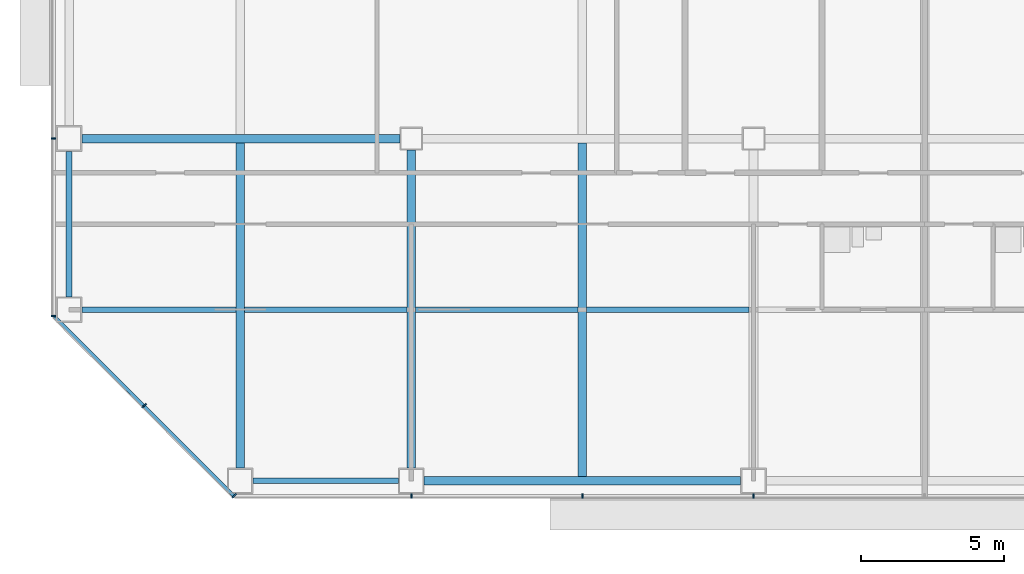
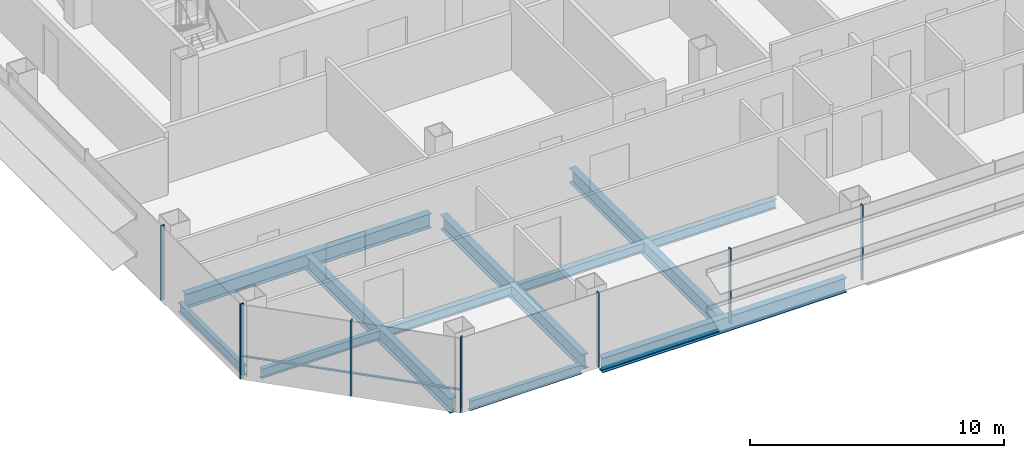
# One storey, part 2 of 26: 11 beams, 8 members, 3 elements without a shape of their own.
"""IFC4 building model written with IfcOpenShell, lengths in metres."""

from ifc_helpers import new_model, si_unit, direction, frame, origin, origin_2d, place, context, subcontext, project, spatial, rectangle, i_section, extrude, material, material_profile, profile_set, type_object, element, aggregate, save


model = new_model("IFC4")

# Units and contexts
model_context = context("Model", 3, precision=1e-05, world=origin(), true_north=direction((0.0, 1.0)))
body_context = subcontext(model_context, "Body", "Model", "MODEL_VIEW")
ifc_project = project(units=[si_unit("LENGTHUNIT", "METRE"), si_unit("AREAUNIT", "SQUARE_METRE"), si_unit("VOLUMEUNIT", "CUBIC_METRE"), si_unit("PLANEANGLEUNIT", "RADIAN"), si_unit("MASSUNIT", "GRAM", prefix="KILO")], contexts=[model_context])

# Site, building, storey
site_placement = place(None, origin())
site = spatial("IfcSite", under=ifc_project, at=site_placement, CompositionType="ELEMENT")
building_placement = place(site_placement, origin())
building = spatial("IfcBuilding", under=site, at=building_placement, Name="Sorahane Residences", CompositionType="ELEMENT")
storey_placement = place(building_placement, frame((0.0, 0.0, 64.199951171875)))
storey = spatial("IfcBuildingStorey", under=building, at=storey_placement, Name="L12", CompositionType="ELEMENT", Elevation=64.199951171875)

# Curtain wall, members
ifc_material_1 = material(Name="Dark low-e glass and black anodised aluminium", Category="aluminium")
curtain_wall_type_1 = type_object("IfcCurtainWallType", Name="Curtain wall CW-1 Typical unitised wall", PredefinedType="NOTDEFINED", material=ifc_material_1)
curtain_wall_1_placement = place(storey_placement, origin())
curtain_wall_1 = element("IfcCurtainWall", 1, at=curtain_wall_1_placement, inside=storey, type_object=curtain_wall_type_1, Name="CW-1 curtain wall L12 S1", PredefinedType="NOTDEFINED")
ifc_material_2 = material(Name="Black anodised aluminium", Category="aluminium")
ifc_material_profile_1 = material_profile(ifc_material_2, rectangle(XDim=0.159912109375, YDim=0.050048828125, at=origin_2d()), Name="Curtain wall mullion CW-1 black anodised aluminium 50x160")
ifc_profile_set_1 = profile_set([ifc_material_profile_1], Name="Black anodised aluminium")
member_type_1 = type_object("IfcMemberType", Name="Curtain wall mullion CW-1 black anodised aluminium 50x160", PredefinedType="MULLION", material=ifc_profile_set_1)
member_1_placement = place(storey_placement, frame((12.0, -0.5400390625, -0.179931640625), z_axis=(0.0, 0.0, 1.0), x_axis=(0.0, -1.0, 0.0)))
member_1 = element("IfcMember", 2, at=member_1_placement, type_object=member_type_1, Name="CW-1 mullion L12 S1.2", PredefinedType="MULLION", context=body_context, shape_type="SweptSolid", body=[
    extrude(rectangle(XDim=0.159912109375, YDim=0.050048828125, at=origin_2d()), origin(), (0.0, 0.0, 1.0), 3.60009765625),
])
member_2_placement = place(storey_placement, frame((18.0, -0.5400390625, -0.179931640625), z_axis=(0.0, 0.0, 1.0), x_axis=(0.0, -1.0, 0.0)))
member_2 = element("IfcMember", 3, at=member_2_placement, type_object=member_type_1, Name="CW-1 mullion L12 S1.3", PredefinedType="MULLION", context=body_context, shape_type="SweptSolid", body=[
    extrude(rectangle(XDim=0.159912109375, YDim=0.050048828125, at=origin_2d()), origin(), (0.0, 0.0, 1.0), 3.60009765625),
])
member_3_placement = place(storey_placement, frame((24.0, -0.5400390625, -0.179931640625), z_axis=(0.0, 0.0, 1.0), x_axis=(0.0, -1.0, 0.0)))
member_3 = element("IfcMember", 4, at=member_3_placement, type_object=member_type_1, Name="CW-1 mullion L12 S1.4", PredefinedType="MULLION", context=body_context, shape_type="SweptSolid", body=[
    extrude(rectangle(XDim=0.159912109375, YDim=0.050048828125, at=origin_2d()), origin(), (0.0, 0.0, 1.0), 3.60009765625),
])
aggregate(curtain_wall_1, [member_1, member_2, member_3])

curtain_wall_2_placement = place(storey_placement, origin())
curtain_wall_2 = element("IfcCurtainWall", 5, at=curtain_wall_2_placement, inside=storey, type_object=curtain_wall_type_1, Name="CW-1 curtain wall L12 W1", PredefinedType="NOTDEFINED")
member_4_placement = place(storey_placement, frame((-0.5400390625, 12.0, -0.179931640625), z_axis=(0.0, 0.0, 1.0), x_axis=(-1.0, 0.0, 0.0)))
member_4 = element("IfcMember", 6, at=member_4_placement, type_object=member_type_1, Name="CW-1 mullion L12 W1.6", PredefinedType="MULLION", context=body_context, shape_type="SweptSolid", body=[
    extrude(rectangle(XDim=0.159912109375, YDim=0.050048828125, at=origin_2d()), origin(), (0.0, 0.0, 1.0), 3.60009765625),
])
member_5_placement = place(storey_placement, frame((-0.5400390625, 5.7763671875, -0.179931640625), z_axis=(0.0, 0.0, 1.0), x_axis=(-1.0, 0.0, 0.0)))
member_5 = element("IfcMember", 7, at=member_5_placement, type_object=member_type_1, Name="CW-1 mullion L12 W1.7", PredefinedType="MULLION", context=body_context, shape_type="SweptSolid", body=[
    extrude(rectangle(XDim=0.159912109375, YDim=0.050048828125, at=origin_2d()), origin(), (0.0, 0.0, 1.0), 3.60009765625),
])
aggregate(curtain_wall_2, [member_4, member_5])

ifc_material_3 = material(Name="Dark low-e glass and black anodised aluminium", Category="aluminium")
curtain_wall_type_2 = type_object("IfcCurtainWallType", Name="Curtain wall CW-2 Chamfer unitised wall", PredefinedType="NOTDEFINED", material=ifc_material_3)
curtain_wall_3_placement = place(storey_placement, origin())
curtain_wall_3 = element("IfcCurtainWall", 8, at=curtain_wall_3_placement, inside=storey, type_object=curtain_wall_type_2, Name="CW-2 curtain wall L12 SW1", PredefinedType="NOTDEFINED")
ifc_material_4 = material(Name="Black anodised aluminium", Category="aluminium")
ifc_material_profile_2 = material_profile(ifc_material_4, rectangle(XDim=0.199951171875, YDim=0.050048828125, at=origin_2d()), Name="Curtain wall mullion CW-2 black anodised aluminium 50x200")
ifc_profile_set_2 = profile_set([ifc_material_profile_2], Name="Black anodised aluminium")
member_type_2 = type_object("IfcMemberType", Name="Curtain wall mullion CW-2 black anodised aluminium 50x200", PredefinedType="MULLION", material=ifc_profile_set_2)
member_6_placement = place(storey_placement, frame((2.63232421875, 2.63232421875, -0.179931640625), z_axis=(0.0, 0.0, 1.0), x_axis=(-0.707106781187, -0.707106781187, 0.0)))
member_6 = element("IfcMember", 9, at=member_6_placement, type_object=member_type_2, Name="CW-2 mullion L12 SW1.2", PredefinedType="MULLION", context=body_context, shape_type="SweptSolid", body=[
    extrude(rectangle(XDim=0.199951171875, YDim=0.050048828125, at=origin_2d()), origin(), (0.0, 0.0, 1.0), 3.60009765625),
])
member_7_placement = place(storey_placement, frame((5.790283203125, -0.525634765625, -0.179931640625), z_axis=(0.0, 0.0, 1.0), x_axis=(-0.707106781187, -0.707106781187, 0.0)))
member_7 = element("IfcMember", 10, at=member_7_placement, type_object=member_type_2, Name="CW-2 mullion L12 SW1.3", PredefinedType="MULLION", context=body_context, shape_type="SweptSolid", body=[
    extrude(rectangle(XDim=0.199951171875, YDim=0.050048828125, at=origin_2d()), origin(), (0.0, 0.0, 1.0), 3.60009765625),
])
ifc_material_5 = material(Name="Black anodised aluminium", Category="aluminium")
ifc_material_profile_3 = material_profile(ifc_material_5, rectangle(XDim=0.10009765625, YDim=0.06005859375, at=origin_2d()), Name="Curtain wall transom CW-2 black anodised aluminium 60x100")
ifc_profile_set_3 = profile_set([ifc_material_profile_3], Name="Black anodised aluminium")
member_type_3 = type_object("IfcMemberType", Name="Curtain wall transom CW-2 black anodised aluminium 60x100", PredefinedType="USERDEFINED", material=ifc_profile_set_3)
member_8_placement = place(storey_placement, frame((-0.51513671875, 5.765625, 0.900146484375), z_axis=(0.707106781187, -0.707106781187, 0.0), x_axis=(0.707106781187, 0.707106781187, 0.0)))
member_8 = element("IfcMember", 11, at=member_8_placement, type_object=member_type_3, Name="CW-2 transom L12 SW1", ObjectType="TRANSOM", PredefinedType="USERDEFINED", context=body_context, shape_type="SweptSolid", body=[
    extrude(rectangle(XDim=0.10009765625, YDim=0.06005859375, at=origin_2d()), origin(), (0.0, 0.0, 1.0), 8.88232421875),
])
aggregate(curtain_wall_3, [member_6, member_7, member_8])

# Beams
ifc_material_6 = material(Name="Steel Q355B", Category="steel")
ifc_material_profile_4 = material_profile(ifc_material_6, i_section(OverallWidth=0.199951171875, OverallDepth=0.449951171875, WebThickness=0.009033203125, FlangeThickness=0.013916015625, FilletRadius=0.02001953125, at=origin_2d()), Name="HN 450x200x9x14")
ifc_profile_set_4 = profile_set([ifc_material_profile_4], Name="Steel Q355B")
beam_type_1 = type_object("IfcBeamType", Name="Steel floor beam HN 450x200x9x14 Q355B", PredefinedType="BEAM", material=ifc_profile_set_4)
for number, where, z_axis, x_axis, name in (
    (12, (6.449951171875, 0.0, -0.405029296875), (1.0, 0.0, 0.0), (0.0, 1.0, 0.0), "Beam L12 000"),
    (13, (0.0, 6.449951171875, -0.405029296875), (0.0, 1.0, 0.0), (-1.0, 0.0, 0.0), "Beam L12 017"),
):
    element("IfcBeam", number, at=place(storey_placement, frame(where, z_axis=z_axis, x_axis=x_axis)), inside=storey, type_object=beam_type_1, Name=name, PredefinedType="BEAM", context=body_context, shape_type="SweptSolid", body=[
        extrude(i_section(OverallWidth=0.199951171875, OverallDepth=0.449951171875, WebThickness=0.009033203125, FlangeThickness=0.013916015625, FilletRadius=0.02001953125, at=origin_2d()), origin(), (0.0, 0.0, 1.0), 5.10009765625),
    ])
beam_1_placement = place(storey_placement, frame((0.449951171875, 6.0, -0.405029296875), z_axis=(1.0, 0.0, 0.0), x_axis=(0.0, 1.0, 0.0)))
element("IfcBeam", 14, at=beam_1_placement, inside=storey, type_object=beam_type_1, Name="Beam L12 061", PredefinedType="BEAM", context=body_context, shape_type="SweptSolid", body=[
    extrude(i_section(OverallWidth=0.199951171875, OverallDepth=0.449951171875, WebThickness=0.009033203125, FlangeThickness=0.013916015625, FilletRadius=0.02001953125, at=origin_2d()), origin(), (0.0, 0.0, 1.0), 5.400146484375),
])
for number, where, z_axis, x_axis, name in (
    (15, (6.14990234375, 6.0, -0.405029296875), (1.0, 0.0, 0.0), (0.0, 1.0, 0.0), "Beam L12 062"),
    (16, (12.14990234375, 6.0, -0.405029296875), (1.0, 0.0, 0.0), (0.0, 1.0, 0.0), "Beam L12 063"),
    (17, (18.14990234375, 6.0, -0.405029296875), (1.0, 0.0, 0.0), (0.0, 1.0, 0.0), "Beam L12 064"),
):
    element("IfcBeam", number, at=place(storey_placement, frame(where, z_axis=z_axis, x_axis=x_axis)), inside=storey, type_object=beam_type_1, Name=name, PredefinedType="BEAM", context=body_context, shape_type="SweptSolid", body=[
        extrude(i_section(OverallWidth=0.199951171875, OverallDepth=0.449951171875, WebThickness=0.009033203125, FlangeThickness=0.013916015625, FilletRadius=0.02001953125, at=origin_2d()), origin(), (0.0, 0.0, 1.0), 5.7001953125),
    ])
ifc_material_7 = material(Name="Steel Q355B", Category="steel")
ifc_material_profile_5 = material_profile(ifc_material_7, i_section(OverallWidth=0.300048828125, OverallDepth=0.699951171875, WebThickness=0.012939453125, FlangeThickness=0.02392578125, FilletRadius=0.028076171875, at=origin_2d()), Name="HN 700x300x13x24")
ifc_profile_set_5 = profile_set([ifc_material_profile_5], Name="Steel Q355B")
beam_type_2 = type_object("IfcBeamType", Name="Steel floor beam HN 700x300x13x24 Q355B", PredefinedType="BEAM", material=ifc_profile_set_5)
beam_2_placement = place(storey_placement, frame((12.449951171875, 0.0, -0.530029296875), z_axis=(1.0, 0.0, 0.0), x_axis=(0.0, 1.0, 0.0)))
element("IfcBeam", 18, at=beam_2_placement, inside=storey, type_object=beam_type_2, Name="Beam L12 001", PredefinedType="BEAM", context=body_context, shape_type="SweptSolid", body=[
    extrude(i_section(OverallWidth=0.300048828125, OverallDepth=0.699951171875, WebThickness=0.012939453125, FlangeThickness=0.02392578125, FilletRadius=0.028076171875, at=origin_2d()), origin(), (0.0, 0.0, 1.0), 11.10009765625),
])
beam_3_placement = place(storey_placement, frame((0.449951171875, 12.0, -0.530029296875), z_axis=(1.0, 0.0, 0.0), x_axis=(0.0, 1.0, 0.0)))
element("IfcBeam", 19, at=beam_3_placement, inside=storey, type_object=beam_type_2, Name="Beam L12 005", PredefinedType="BEAM", context=body_context, shape_type="SweptSolid", body=[
    extrude(i_section(OverallWidth=0.300048828125, OverallDepth=0.699951171875, WebThickness=0.012939453125, FlangeThickness=0.02392578125, FilletRadius=0.028076171875, at=origin_2d()), origin(), (0.0, 0.0, 1.0), 11.150146484375),
])
beam_4_placement = place(storey_placement, frame((6.0, 0.449951171875, -0.530029296875), z_axis=(0.0, 1.0, 0.0), x_axis=(-1.0, 0.0, 0.0)))
element("IfcBeam", 20, at=beam_4_placement, inside=storey, type_object=beam_type_2, Name="Beam L12 021", PredefinedType="BEAM", context=body_context, shape_type="SweptSolid", body=[
    extrude(i_section(OverallWidth=0.300048828125, OverallDepth=0.699951171875, WebThickness=0.012939453125, FlangeThickness=0.02392578125, FilletRadius=0.028076171875, at=origin_2d()), origin(), (0.0, 0.0, 1.0), 11.400146484375),
])
beam_5_placement = place(storey_placement, frame((12.0, 0.449951171875, -0.530029296875), z_axis=(0.0, 1.0, 0.0), x_axis=(-1.0, 0.0, 0.0)))
element("IfcBeam", 21, at=beam_5_placement, inside=storey, type_object=beam_type_2, Name="Beam L12 027", PredefinedType="BEAM", context=body_context, shape_type="SweptSolid", body=[
    extrude(i_section(OverallWidth=0.300048828125, OverallDepth=0.699951171875, WebThickness=0.012939453125, FlangeThickness=0.02392578125, FilletRadius=0.028076171875, at=origin_2d()), origin(), (0.0, 0.0, 1.0), 11.150146484375),
])
beam_6_placement = place(storey_placement, frame((18.0, 0.14990234375, -0.530029296875), z_axis=(0.0, 1.0, 0.0), x_axis=(-1.0, 0.0, 0.0)))
element("IfcBeam", 22, at=beam_6_placement, inside=storey, type_object=beam_type_2, Name="Beam L12 029", PredefinedType="BEAM", context=body_context, shape_type="SweptSolid", body=[
    extrude(i_section(OverallWidth=0.300048828125, OverallDepth=0.699951171875, WebThickness=0.012939453125, FlangeThickness=0.02392578125, FilletRadius=0.028076171875, at=origin_2d()), origin(), (0.0, 0.0, 1.0), 11.7001953125),
])

save(model, "model.ifc")
